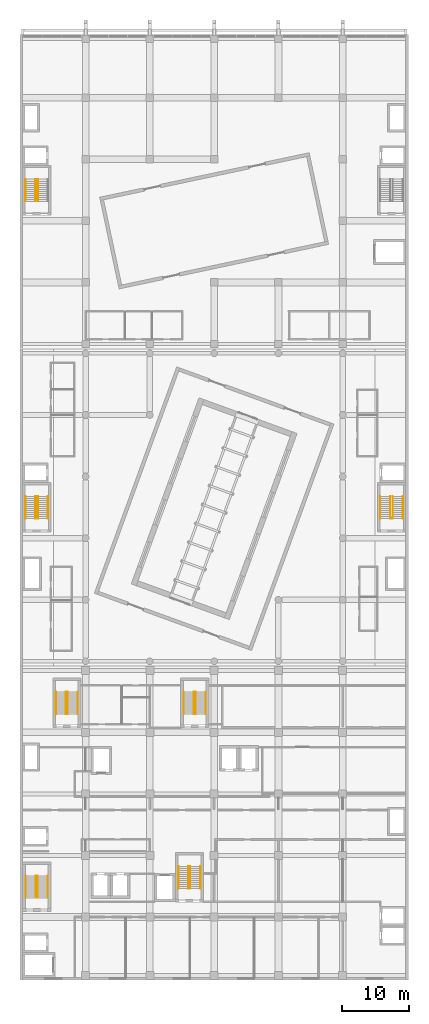
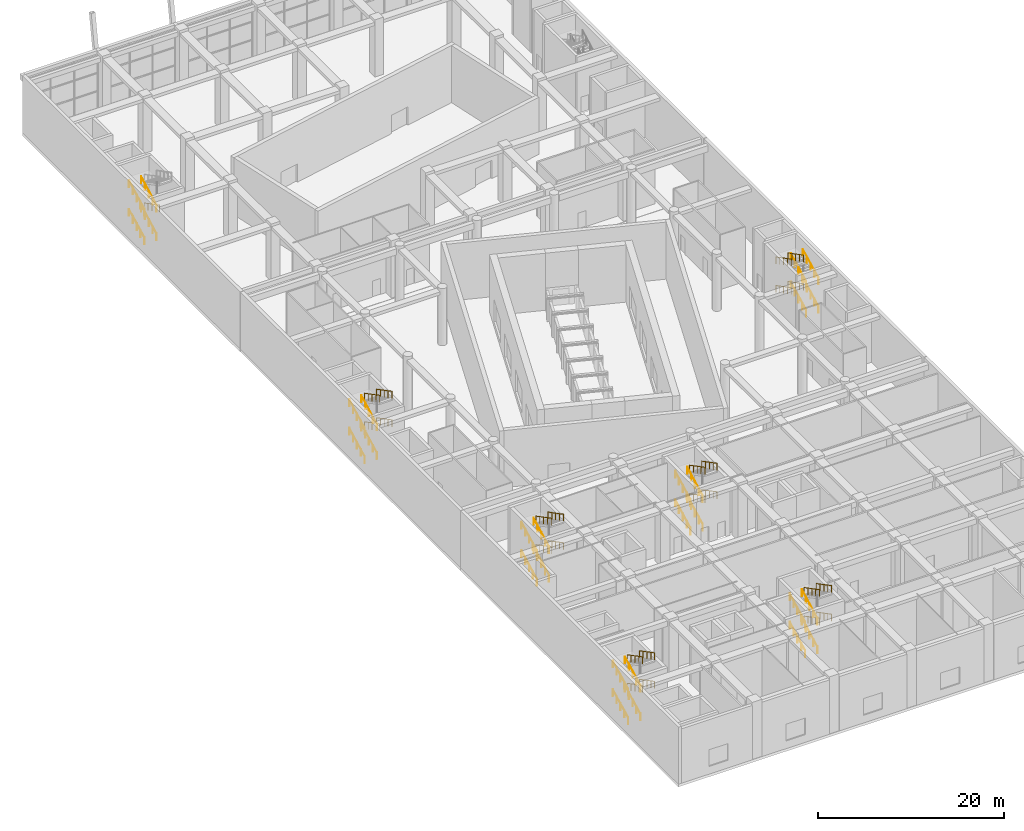
# One storey, part 22 of 36: 53 railings.
"""IFC4 building model written with IfcOpenShell, lengths in metres."""

from ifc_helpers import new_model, si_unit, direction, frame, origin, origin_2d, place, context, subcontext, project, spatial, circle, extrude, material, type_object, element, save


model = new_model("IFC4")

# Units and contexts
model_context = context("Model", 3, precision=1e-05, world=origin(), true_north=direction((0.0, 1.0)))
body_context = subcontext(model_context, "Body", "Model", "MODEL_VIEW")
ifc_project = project(units=[si_unit("LENGTHUNIT", "METRE"), si_unit("AREAUNIT", "SQUARE_METRE"), si_unit("VOLUMEUNIT", "CUBIC_METRE"), si_unit("PLANEANGLEUNIT", "RADIAN"), si_unit("MASSUNIT", "GRAM", prefix="KILO")], contexts=[model_context])

# Site, building, storey
site_placement = place(None, origin())
site = spatial("IfcSite", under=ifc_project, at=site_placement, CompositionType="ELEMENT")
building_placement = place(site_placement, origin())
building = spatial("IfcBuilding", under=site, at=building_placement, Name="Nzadi Deep Aquarium and Research Tower", CompositionType="ELEMENT")
storey_placement = place(building_placement, frame((0.0, 0.0, 14.199951171875)))
storey = spatial("IfcBuildingStorey", under=building, at=storey_placement, Name="L02", CompositionType="ELEMENT", Elevation=14.199951171875)

# Railings
ifc_material = material(Name="Stainless steel 1.4301", Category="steel")
railing_type = type_object("IfcRailingType", Name="HANDRAIL 900", PredefinedType="HANDRAIL", material=ifc_material)
for number, where, name in (
    (1, (0.659912109375, 12.070068359375, 0.15625), "HR-ST-Z1-SW-L02-F1"),
    (2, (2.1650390625, 12.070068359375, 0.15625), "HR-ST-Z1-SW-L02-F1W"),
):
    element("IfcRailing", number, at=place(storey_placement, frame(where)), inside=storey, type_object=railing_type, Name=name, PredefinedType="HANDRAIL", context=body_context, shape_type="SweptSolid", body=[
        extrude(circle(Radius=0.02392578125, at=origin_2d()), frame((0.0, 0.0, 0.8759765625), z_axis=(0.0, 0.886916884378, 0.461929042392), x_axis=(-1.0, 0.0, 0.0)), (0.0, 0.0, 1.0), 3.720703125),
        extrude(circle(Radius=0.02099609375, at=origin_2d()), origin(), (0.0, 0.0, 1.0), 0.851806640625),
        extrude(circle(Radius=0.02099609375, at=origin_2d()), frame((0.0, 0.824951171875, 0.4296875)), (0.0, 0.0, 1.0), 0.851806640625),
        extrude(circle(Radius=0.02099609375, at=origin_2d()), frame((0.0, 1.64990234375, 0.859375)), (0.0, 0.0, 1.0), 0.851806640625),
        extrude(circle(Radius=0.02099609375, at=origin_2d()), frame((0.0, 2.47509765625, 1.2890625)), (0.0, 0.0, 1.0), 0.851806640625),
        extrude(circle(Radius=0.02099609375, at=origin_2d()), frame((0.0, 3.300048828125, 1.71875)), (0.0, 0.0, 1.0), 0.851806640625),
    ])
for number, where, name in (
    (3, (3.93994140625, 15.3701171875, 2.03125), "HR-ST-Z1-SW-L02-F2"),
    (4, (2.43505859375, 15.3701171875, 2.03125), "HR-ST-Z1-SW-L02-F2W"),
):
    element("IfcRailing", number, at=place(storey_placement, frame(where)), inside=storey, type_object=railing_type, Name=name, PredefinedType="HANDRAIL", context=body_context, shape_type="SweptSolid", body=[
        extrude(circle(Radius=0.02392578125, at=origin_2d()), frame((0.0, 0.0, 0.8759765625), z_axis=(0.0, -0.886916884378, 0.461929042392), x_axis=(1.0, 0.0, 0.0)), (0.0, 0.0, 1.0), 3.720703125),
        extrude(circle(Radius=0.02099609375, at=origin_2d()), origin(), (0.0, 0.0, 1.0), 0.851806640625),
        extrude(circle(Radius=0.02099609375, at=origin_2d()), frame((0.0, -0.824951171875, 0.4296875)), (0.0, 0.0, 1.0), 0.851806640625),
        extrude(circle(Radius=0.02099609375, at=origin_2d()), frame((0.0, -1.64990234375, 0.859375)), (0.0, 0.0, 1.0), 0.851806640625),
        extrude(circle(Radius=0.02099609375, at=origin_2d()), frame((0.0, -2.47509765625, 1.2890625)), (0.0, 0.0, 1.0), 0.851806640625),
        extrude(circle(Radius=0.02099609375, at=origin_2d()), frame((0.0, -3.300048828125, 1.71875)), (0.0, 0.0, 1.0), 0.851806640625),
    ])
for number, where, name in (
    (5, (0.659912109375, 12.070068359375, 3.90625), "HR-ST-Z1-SW-L02-F3"),
    (6, (2.1650390625, 12.070068359375, 3.90625), "HR-ST-Z1-SW-L02-F3W"),
):
    element("IfcRailing", number, at=place(storey_placement, frame(where)), inside=storey, type_object=railing_type, Name=name, PredefinedType="HANDRAIL", context=body_context, shape_type="SweptSolid", body=[
        extrude(circle(Radius=0.02392578125, at=origin_2d()), frame((0.0, 0.0, 0.8759765625), z_axis=(0.0, 0.886916884378, 0.461929042392), x_axis=(-1.0, 0.0, 0.0)), (0.0, 0.0, 1.0), 3.720703125),
        extrude(circle(Radius=0.02099609375, at=origin_2d()), origin(), (0.0, 0.0, 1.0), 0.851806640625),
        extrude(circle(Radius=0.02099609375, at=origin_2d()), frame((0.0, 0.824951171875, 0.4296875)), (0.0, 0.0, 1.0), 0.851806640625),
        extrude(circle(Radius=0.02099609375, at=origin_2d()), frame((0.0, 1.64990234375, 0.859375)), (0.0, 0.0, 1.0), 0.851806640625),
        extrude(circle(Radius=0.02099609375, at=origin_2d()), frame((0.0, 2.47509765625, 1.2890625)), (0.0, 0.0, 1.0), 0.851806640625),
        extrude(circle(Radius=0.02099609375, at=origin_2d()), frame((0.0, 3.300048828125, 1.71875)), (0.0, 0.0, 1.0), 0.851806640625),
    ])
for number, where, name in (
    (7, (3.93994140625, 15.3701171875, 5.78125), "HR-ST-Z1-SW-L02-F4"),
    (8, (2.43505859375, 15.3701171875, 5.78125), "HR-ST-Z1-SW-L02-F4W"),
):
    element("IfcRailing", number, at=place(storey_placement, frame(where)), inside=storey, type_object=railing_type, Name=name, PredefinedType="HANDRAIL", context=body_context, shape_type="SweptSolid", body=[
        extrude(circle(Radius=0.02392578125, at=origin_2d()), frame((0.0, 0.0, 0.8759765625), z_axis=(0.0, -0.886916884378, 0.461929042392), x_axis=(1.0, 0.0, 0.0)), (0.0, 0.0, 1.0), 3.720703125),
        extrude(circle(Radius=0.02099609375, at=origin_2d()), origin(), (0.0, 0.0, 1.0), 0.851806640625),
        extrude(circle(Radius=0.02099609375, at=origin_2d()), frame((0.0, -0.824951171875, 0.4296875)), (0.0, 0.0, 1.0), 0.851806640625),
        extrude(circle(Radius=0.02099609375, at=origin_2d()), frame((0.0, -1.64990234375, 0.859375)), (0.0, 0.0, 1.0), 0.851806640625),
        extrude(circle(Radius=0.02099609375, at=origin_2d()), frame((0.0, -2.47509765625, 1.2890625)), (0.0, 0.0, 1.0), 0.851806640625),
        extrude(circle(Radius=0.02099609375, at=origin_2d()), frame((0.0, -3.300048828125, 1.71875)), (0.0, 0.0, 1.0), 0.851806640625),
    ])
for number, where, name in (
    (9, (23.4599609375, 13.469970703125, 0.15625), "HR-ST-Z1-SE-L02-F1"),
    (10, (24.965087890625, 13.469970703125, 0.15625), "HR-ST-Z1-SE-L02-F1W"),
):
    element("IfcRailing", number, at=place(storey_placement, frame(where)), inside=storey, type_object=railing_type, Name=name, PredefinedType="HANDRAIL", context=body_context, shape_type="SweptSolid", body=[
        extrude(circle(Radius=0.02392578125, at=origin_2d()), frame((0.0, 0.0, 0.8759765625), z_axis=(0.0, 0.886916884378, 0.461929042392), x_axis=(-1.0, 0.0, 0.0)), (0.0, 0.0, 1.0), 3.720703125),
        extrude(circle(Radius=0.02099609375, at=origin_2d()), origin(), (0.0, 0.0, 1.0), 0.851806640625),
        extrude(circle(Radius=0.02099609375, at=origin_2d()), frame((0.0, 0.824951171875, 0.4296875)), (0.0, 0.0, 1.0), 0.851806640625),
        extrude(circle(Radius=0.02099609375, at=origin_2d()), frame((0.0, 1.64990234375, 0.859375)), (0.0, 0.0, 1.0), 0.851806640625),
        extrude(circle(Radius=0.02099609375, at=origin_2d()), frame((0.0, 2.47509765625, 1.2890625)), (0.0, 0.0, 1.0), 0.851806640625),
        extrude(circle(Radius=0.02099609375, at=origin_2d()), frame((0.0, 3.300048828125, 1.71875)), (0.0, 0.0, 1.0), 0.851806640625),
    ])
for number, where, name in (
    (11, (26.739990234375, 16.77001953125, 2.03125), "HR-ST-Z1-SE-L02-F2"),
    (12, (25.235107421875, 16.77001953125, 2.03125), "HR-ST-Z1-SE-L02-F2W"),
):
    element("IfcRailing", number, at=place(storey_placement, frame(where)), inside=storey, type_object=railing_type, Name=name, PredefinedType="HANDRAIL", context=body_context, shape_type="SweptSolid", body=[
        extrude(circle(Radius=0.02392578125, at=origin_2d()), frame((0.0, 0.0, 0.8759765625), z_axis=(0.0, -0.886916884378, 0.461929042392), x_axis=(1.0, 0.0, 0.0)), (0.0, 0.0, 1.0), 3.720703125),
        extrude(circle(Radius=0.02099609375, at=origin_2d()), origin(), (0.0, 0.0, 1.0), 0.851806640625),
        extrude(circle(Radius=0.02099609375, at=origin_2d()), frame((0.0, -0.824951171875, 0.4296875)), (0.0, 0.0, 1.0), 0.851806640625),
        extrude(circle(Radius=0.02099609375, at=origin_2d()), frame((0.0, -1.64990234375, 0.859375)), (0.0, 0.0, 1.0), 0.851806640625),
        extrude(circle(Radius=0.02099609375, at=origin_2d()), frame((0.0, -2.47509765625, 1.2890625)), (0.0, 0.0, 1.0), 0.851806640625),
        extrude(circle(Radius=0.02099609375, at=origin_2d()), frame((0.0, -3.300048828125, 1.71875)), (0.0, 0.0, 1.0), 0.851806640625),
    ])
for number, where, name in (
    (13, (23.4599609375, 13.469970703125, 3.90625), "HR-ST-Z1-SE-L02-F3"),
    (14, (24.965087890625, 13.469970703125, 3.90625), "HR-ST-Z1-SE-L02-F3W"),
):
    element("IfcRailing", number, at=place(storey_placement, frame(where)), inside=storey, type_object=railing_type, Name=name, PredefinedType="HANDRAIL", context=body_context, shape_type="SweptSolid", body=[
        extrude(circle(Radius=0.02392578125, at=origin_2d()), frame((0.0, 0.0, 0.8759765625), z_axis=(0.0, 0.886916884378, 0.461929042392), x_axis=(-1.0, 0.0, 0.0)), (0.0, 0.0, 1.0), 3.720703125),
        extrude(circle(Radius=0.02099609375, at=origin_2d()), origin(), (0.0, 0.0, 1.0), 0.851806640625),
        extrude(circle(Radius=0.02099609375, at=origin_2d()), frame((0.0, 0.824951171875, 0.4296875)), (0.0, 0.0, 1.0), 0.851806640625),
        extrude(circle(Radius=0.02099609375, at=origin_2d()), frame((0.0, 1.64990234375, 0.859375)), (0.0, 0.0, 1.0), 0.851806640625),
        extrude(circle(Radius=0.02099609375, at=origin_2d()), frame((0.0, 2.47509765625, 1.2890625)), (0.0, 0.0, 1.0), 0.851806640625),
        extrude(circle(Radius=0.02099609375, at=origin_2d()), frame((0.0, 3.300048828125, 1.71875)), (0.0, 0.0, 1.0), 0.851806640625),
    ])
for number, where, name in (
    (15, (26.739990234375, 16.77001953125, 5.78125), "HR-ST-Z1-SE-L02-F4"),
    (16, (25.235107421875, 16.77001953125, 5.78125), "HR-ST-Z1-SE-L02-F4W"),
):
    element("IfcRailing", number, at=place(storey_placement, frame(where)), inside=storey, type_object=railing_type, Name=name, PredefinedType="HANDRAIL", context=body_context, shape_type="SweptSolid", body=[
        extrude(circle(Radius=0.02392578125, at=origin_2d()), frame((0.0, 0.0, 0.8759765625), z_axis=(0.0, -0.886916884378, 0.461929042392), x_axis=(1.0, 0.0, 0.0)), (0.0, 0.0, 1.0), 3.720703125),
        extrude(circle(Radius=0.02099609375, at=origin_2d()), origin(), (0.0, 0.0, 1.0), 0.851806640625),
        extrude(circle(Radius=0.02099609375, at=origin_2d()), frame((0.0, -0.824951171875, 0.4296875)), (0.0, 0.0, 1.0), 0.851806640625),
        extrude(circle(Radius=0.02099609375, at=origin_2d()), frame((0.0, -1.64990234375, 0.859375)), (0.0, 0.0, 1.0), 0.851806640625),
        extrude(circle(Radius=0.02099609375, at=origin_2d()), frame((0.0, -2.47509765625, 1.2890625)), (0.0, 0.0, 1.0), 0.851806640625),
        extrude(circle(Radius=0.02099609375, at=origin_2d()), frame((0.0, -3.300048828125, 1.71875)), (0.0, 0.0, 1.0), 0.851806640625),
    ])
for number, where, name in (
    (17, (5.159912109375, 39.52001953125, 0.15625), "HR-ST-Z1-NW-L02-F1"),
    (18, (6.6650390625, 39.52001953125, 0.15625), "HR-ST-Z1-NW-L02-F1W"),
):
    element("IfcRailing", number, at=place(storey_placement, frame(where)), inside=storey, type_object=railing_type, Name=name, PredefinedType="HANDRAIL", context=body_context, shape_type="SweptSolid", body=[
        extrude(circle(Radius=0.02392578125, at=origin_2d()), frame((0.0, 0.0, 0.8759765625), z_axis=(0.0, 0.886916884378, 0.461929042392), x_axis=(-1.0, 0.0, 0.0)), (0.0, 0.0, 1.0), 3.720703125),
        extrude(circle(Radius=0.02099609375, at=origin_2d()), origin(), (0.0, 0.0, 1.0), 0.851806640625),
        extrude(circle(Radius=0.02099609375, at=origin_2d()), frame((0.0, 0.824951171875, 0.4296875)), (0.0, 0.0, 1.0), 0.851806640625),
        extrude(circle(Radius=0.02099609375, at=origin_2d()), frame((0.0, 1.64990234375, 0.859375)), (0.0, 0.0, 1.0), 0.851806640625),
        extrude(circle(Radius=0.02099609375, at=origin_2d()), frame((0.0, 2.47509765625, 1.2890625)), (0.0, 0.0, 1.0), 0.851806640625),
        extrude(circle(Radius=0.02099609375, at=origin_2d()), frame((0.0, 3.300048828125, 1.71875)), (0.0, 0.0, 1.0), 0.851806640625),
    ])
for number, where, name in (
    (19, (8.43994140625, 42.820068359375, 2.03125), "HR-ST-Z1-NW-L02-F2"),
    (20, (6.93505859375, 42.820068359375, 2.03125), "HR-ST-Z1-NW-L02-F2W"),
):
    element("IfcRailing", number, at=place(storey_placement, frame(where)), inside=storey, type_object=railing_type, Name=name, PredefinedType="HANDRAIL", context=body_context, shape_type="SweptSolid", body=[
        extrude(circle(Radius=0.02392578125, at=origin_2d()), frame((0.0, 0.0, 0.8759765625), z_axis=(0.0, -0.886916884378, 0.461929042392), x_axis=(1.0, 0.0, 0.0)), (0.0, 0.0, 1.0), 3.720703125),
        extrude(circle(Radius=0.02099609375, at=origin_2d()), origin(), (0.0, 0.0, 1.0), 0.851806640625),
        extrude(circle(Radius=0.02099609375, at=origin_2d()), frame((0.0, -0.824951171875, 0.4296875)), (0.0, 0.0, 1.0), 0.851806640625),
        extrude(circle(Radius=0.02099609375, at=origin_2d()), frame((0.0, -1.64990234375, 0.859375)), (0.0, 0.0, 1.0), 0.851806640625),
        extrude(circle(Radius=0.02099609375, at=origin_2d()), frame((0.0, -2.47509765625, 1.2890625)), (0.0, 0.0, 1.0), 0.851806640625),
        extrude(circle(Radius=0.02099609375, at=origin_2d()), frame((0.0, -3.300048828125, 1.71875)), (0.0, 0.0, 1.0), 0.851806640625),
    ])
for number, where, name in (
    (21, (5.159912109375, 39.52001953125, 3.90625), "HR-ST-Z1-NW-L02-F3"),
    (22, (6.6650390625, 39.52001953125, 3.90625), "HR-ST-Z1-NW-L02-F3W"),
):
    element("IfcRailing", number, at=place(storey_placement, frame(where)), inside=storey, type_object=railing_type, Name=name, PredefinedType="HANDRAIL", context=body_context, shape_type="SweptSolid", body=[
        extrude(circle(Radius=0.02392578125, at=origin_2d()), frame((0.0, 0.0, 0.8759765625), z_axis=(0.0, 0.886916884378, 0.461929042392), x_axis=(-1.0, 0.0, 0.0)), (0.0, 0.0, 1.0), 3.720703125),
        extrude(circle(Radius=0.02099609375, at=origin_2d()), origin(), (0.0, 0.0, 1.0), 0.851806640625),
        extrude(circle(Radius=0.02099609375, at=origin_2d()), frame((0.0, 0.824951171875, 0.4296875)), (0.0, 0.0, 1.0), 0.851806640625),
        extrude(circle(Radius=0.02099609375, at=origin_2d()), frame((0.0, 1.64990234375, 0.859375)), (0.0, 0.0, 1.0), 0.851806640625),
        extrude(circle(Radius=0.02099609375, at=origin_2d()), frame((0.0, 2.47509765625, 1.2890625)), (0.0, 0.0, 1.0), 0.851806640625),
        extrude(circle(Radius=0.02099609375, at=origin_2d()), frame((0.0, 3.300048828125, 1.71875)), (0.0, 0.0, 1.0), 0.851806640625),
    ])
for number, where, name in (
    (23, (8.43994140625, 42.820068359375, 5.78125), "HR-ST-Z1-NW-L02-F4"),
    (24, (6.93505859375, 42.820068359375, 5.78125), "HR-ST-Z1-NW-L02-F4W"),
):
    element("IfcRailing", number, at=place(storey_placement, frame(where)), inside=storey, type_object=railing_type, Name=name, PredefinedType="HANDRAIL", context=body_context, shape_type="SweptSolid", body=[
        extrude(circle(Radius=0.02392578125, at=origin_2d()), frame((0.0, 0.0, 0.8759765625), z_axis=(0.0, -0.886916884378, 0.461929042392), x_axis=(1.0, 0.0, 0.0)), (0.0, 0.0, 1.0), 3.720703125),
        extrude(circle(Radius=0.02099609375, at=origin_2d()), origin(), (0.0, 0.0, 1.0), 0.851806640625),
        extrude(circle(Radius=0.02099609375, at=origin_2d()), frame((0.0, -0.824951171875, 0.4296875)), (0.0, 0.0, 1.0), 0.851806640625),
        extrude(circle(Radius=0.02099609375, at=origin_2d()), frame((0.0, -1.64990234375, 0.859375)), (0.0, 0.0, 1.0), 0.851806640625),
        extrude(circle(Radius=0.02099609375, at=origin_2d()), frame((0.0, -2.47509765625, 1.2890625)), (0.0, 0.0, 1.0), 0.851806640625),
        extrude(circle(Radius=0.02099609375, at=origin_2d()), frame((0.0, -3.300048828125, 1.71875)), (0.0, 0.0, 1.0), 0.851806640625),
    ])
for number, where, name in (
    (25, (24.260009765625, 39.52001953125, 0.15625), "HR-ST-Z1-NE-L02-F1"),
    (26, (25.764892578125, 39.52001953125, 0.15625), "HR-ST-Z1-NE-L02-F1W"),
):
    element("IfcRailing", number, at=place(storey_placement, frame(where)), inside=storey, type_object=railing_type, Name=name, PredefinedType="HANDRAIL", context=body_context, shape_type="SweptSolid", body=[
        extrude(circle(Radius=0.02392578125, at=origin_2d()), frame((0.0, 0.0, 0.8759765625), z_axis=(0.0, 0.886916884378, 0.461929042392), x_axis=(-1.0, 0.0, 0.0)), (0.0, 0.0, 1.0), 3.720703125),
        extrude(circle(Radius=0.02099609375, at=origin_2d()), origin(), (0.0, 0.0, 1.0), 0.851806640625),
        extrude(circle(Radius=0.02099609375, at=origin_2d()), frame((0.0, 0.824951171875, 0.4296875)), (0.0, 0.0, 1.0), 0.851806640625),
        extrude(circle(Radius=0.02099609375, at=origin_2d()), frame((0.0, 1.64990234375, 0.859375)), (0.0, 0.0, 1.0), 0.851806640625),
        extrude(circle(Radius=0.02099609375, at=origin_2d()), frame((0.0, 2.47509765625, 1.2890625)), (0.0, 0.0, 1.0), 0.851806640625),
        extrude(circle(Radius=0.02099609375, at=origin_2d()), frame((0.0, 3.300048828125, 1.71875)), (0.0, 0.0, 1.0), 0.851806640625),
    ])
for number, where, name in (
    (27, (27.5400390625, 42.820068359375, 2.03125), "HR-ST-Z1-NE-L02-F2"),
    (28, (26.034912109375, 42.820068359375, 2.03125), "HR-ST-Z1-NE-L02-F2W"),
):
    element("IfcRailing", number, at=place(storey_placement, frame(where)), inside=storey, type_object=railing_type, Name=name, PredefinedType="HANDRAIL", context=body_context, shape_type="SweptSolid", body=[
        extrude(circle(Radius=0.02392578125, at=origin_2d()), frame((0.0, 0.0, 0.8759765625), z_axis=(0.0, -0.886916884378, 0.461929042392), x_axis=(1.0, 0.0, 0.0)), (0.0, 0.0, 1.0), 3.720703125),
        extrude(circle(Radius=0.02099609375, at=origin_2d()), origin(), (0.0, 0.0, 1.0), 0.851806640625),
        extrude(circle(Radius=0.02099609375, at=origin_2d()), frame((0.0, -0.824951171875, 0.4296875)), (0.0, 0.0, 1.0), 0.851806640625),
        extrude(circle(Radius=0.02099609375, at=origin_2d()), frame((0.0, -1.64990234375, 0.859375)), (0.0, 0.0, 1.0), 0.851806640625),
        extrude(circle(Radius=0.02099609375, at=origin_2d()), frame((0.0, -2.47509765625, 1.2890625)), (0.0, 0.0, 1.0), 0.851806640625),
        extrude(circle(Radius=0.02099609375, at=origin_2d()), frame((0.0, -3.300048828125, 1.71875)), (0.0, 0.0, 1.0), 0.851806640625),
    ])
for number, where, name in (
    (29, (24.260009765625, 39.52001953125, 3.90625), "HR-ST-Z1-NE-L02-F3"),
    (30, (25.764892578125, 39.52001953125, 3.90625), "HR-ST-Z1-NE-L02-F3W"),
):
    element("IfcRailing", number, at=place(storey_placement, frame(where)), inside=storey, type_object=railing_type, Name=name, PredefinedType="HANDRAIL", context=body_context, shape_type="SweptSolid", body=[
        extrude(circle(Radius=0.02392578125, at=origin_2d()), frame((0.0, 0.0, 0.8759765625), z_axis=(0.0, 0.886916884378, 0.461929042392), x_axis=(-1.0, 0.0, 0.0)), (0.0, 0.0, 1.0), 3.720703125),
        extrude(circle(Radius=0.02099609375, at=origin_2d()), origin(), (0.0, 0.0, 1.0), 0.851806640625),
        extrude(circle(Radius=0.02099609375, at=origin_2d()), frame((0.0, 0.824951171875, 0.4296875)), (0.0, 0.0, 1.0), 0.851806640625),
        extrude(circle(Radius=0.02099609375, at=origin_2d()), frame((0.0, 1.64990234375, 0.859375)), (0.0, 0.0, 1.0), 0.851806640625),
        extrude(circle(Radius=0.02099609375, at=origin_2d()), frame((0.0, 2.47509765625, 1.2890625)), (0.0, 0.0, 1.0), 0.851806640625),
        extrude(circle(Radius=0.02099609375, at=origin_2d()), frame((0.0, 3.300048828125, 1.71875)), (0.0, 0.0, 1.0), 0.851806640625),
    ])
for number, where, name in (
    (31, (27.5400390625, 42.820068359375, 5.78125), "HR-ST-Z1-NE-L02-F4"),
    (32, (26.034912109375, 42.820068359375, 5.78125), "HR-ST-Z1-NE-L02-F4W"),
):
    element("IfcRailing", number, at=place(storey_placement, frame(where)), inside=storey, type_object=railing_type, Name=name, PredefinedType="HANDRAIL", context=body_context, shape_type="SweptSolid", body=[
        extrude(circle(Radius=0.02392578125, at=origin_2d()), frame((0.0, 0.0, 0.8759765625), z_axis=(0.0, -0.886916884378, 0.461929042392), x_axis=(1.0, 0.0, 0.0)), (0.0, 0.0, 1.0), 3.720703125),
        extrude(circle(Radius=0.02099609375, at=origin_2d()), origin(), (0.0, 0.0, 1.0), 0.851806640625),
        extrude(circle(Radius=0.02099609375, at=origin_2d()), frame((0.0, -0.824951171875, 0.4296875)), (0.0, 0.0, 1.0), 0.851806640625),
        extrude(circle(Radius=0.02099609375, at=origin_2d()), frame((0.0, -1.64990234375, 0.859375)), (0.0, 0.0, 1.0), 0.851806640625),
        extrude(circle(Radius=0.02099609375, at=origin_2d()), frame((0.0, -2.47509765625, 1.2890625)), (0.0, 0.0, 1.0), 0.851806640625),
        extrude(circle(Radius=0.02099609375, at=origin_2d()), frame((0.0, -3.300048828125, 1.71875)), (0.0, 0.0, 1.0), 0.851806640625),
    ])
for number, where, name in (
    (33, (0.610107421875, 68.7099609375, 0.15625), "HR-ST-Z2-W-L02-F1"),
    (34, (2.114990234375, 68.7099609375, 0.15625), "HR-ST-Z2-W-L02-F1W"),
):
    element("IfcRailing", number, at=place(storey_placement, frame(where)), inside=storey, type_object=railing_type, Name=name, PredefinedType="HANDRAIL", context=body_context, shape_type="SweptSolid", body=[
        extrude(circle(Radius=0.02392578125, at=origin_2d()), frame((0.0, 0.0, 0.8759765625), z_axis=(0.0, 0.886916884378, 0.461929042392), x_axis=(-1.0, 0.0, 0.0)), (0.0, 0.0, 1.0), 3.720703125),
        extrude(circle(Radius=0.02099609375, at=origin_2d()), origin(), (0.0, 0.0, 1.0), 0.851806640625),
        extrude(circle(Radius=0.02099609375, at=origin_2d()), frame((0.0, 0.824951171875, 0.4296875)), (0.0, 0.0, 1.0), 0.851806640625),
        extrude(circle(Radius=0.02099609375, at=origin_2d()), frame((0.0, 1.64990234375, 0.859375)), (0.0, 0.0, 1.0), 0.851806640625),
        extrude(circle(Radius=0.02099609375, at=origin_2d()), frame((0.0, 2.47509765625, 1.2890625)), (0.0, 0.0, 1.0), 0.851806640625),
        extrude(circle(Radius=0.02099609375, at=origin_2d()), frame((0.0, 3.300048828125, 1.71875)), (0.0, 0.0, 1.0), 0.851806640625),
    ])
for number, where, name in (
    (35, (3.989990234375, 72.010009765625, 2.03125), "HR-ST-Z2-W-L02-F2"),
    (36, (2.485107421875, 72.010009765625, 2.03125), "HR-ST-Z2-W-L02-F2W"),
):
    element("IfcRailing", number, at=place(storey_placement, frame(where)), inside=storey, type_object=railing_type, Name=name, PredefinedType="HANDRAIL", context=body_context, shape_type="SweptSolid", body=[
        extrude(circle(Radius=0.02392578125, at=origin_2d()), frame((0.0, 0.0, 0.8759765625), z_axis=(0.0, -0.886916884378, 0.461929042392), x_axis=(1.0, 0.0, 0.0)), (0.0, 0.0, 1.0), 3.720703125),
        extrude(circle(Radius=0.02099609375, at=origin_2d()), origin(), (0.0, 0.0, 1.0), 0.851806640625),
        extrude(circle(Radius=0.02099609375, at=origin_2d()), frame((0.0, -0.824951171875, 0.4296875)), (0.0, 0.0, 1.0), 0.851806640625),
        extrude(circle(Radius=0.02099609375, at=origin_2d()), frame((0.0, -1.64990234375, 0.859375)), (0.0, 0.0, 1.0), 0.851806640625),
        extrude(circle(Radius=0.02099609375, at=origin_2d()), frame((0.0, -2.47509765625, 1.2890625)), (0.0, 0.0, 1.0), 0.851806640625),
        extrude(circle(Radius=0.02099609375, at=origin_2d()), frame((0.0, -3.300048828125, 1.71875)), (0.0, 0.0, 1.0), 0.851806640625),
    ])
for number, where, name in (
    (37, (0.610107421875, 68.7099609375, 3.90625), "HR-ST-Z2-W-L02-F3"),
    (38, (2.114990234375, 68.7099609375, 3.90625), "HR-ST-Z2-W-L02-F3W"),
):
    element("IfcRailing", number, at=place(storey_placement, frame(where)), inside=storey, type_object=railing_type, Name=name, PredefinedType="HANDRAIL", context=body_context, shape_type="SweptSolid", body=[
        extrude(circle(Radius=0.02392578125, at=origin_2d()), frame((0.0, 0.0, 0.8759765625), z_axis=(0.0, 0.886916884378, 0.461929042392), x_axis=(-1.0, 0.0, 0.0)), (0.0, 0.0, 1.0), 3.720703125),
        extrude(circle(Radius=0.02099609375, at=origin_2d()), origin(), (0.0, 0.0, 1.0), 0.851806640625),
        extrude(circle(Radius=0.02099609375, at=origin_2d()), frame((0.0, 0.824951171875, 0.4296875)), (0.0, 0.0, 1.0), 0.851806640625),
        extrude(circle(Radius=0.02099609375, at=origin_2d()), frame((0.0, 1.64990234375, 0.859375)), (0.0, 0.0, 1.0), 0.851806640625),
        extrude(circle(Radius=0.02099609375, at=origin_2d()), frame((0.0, 2.47509765625, 1.2890625)), (0.0, 0.0, 1.0), 0.851806640625),
        extrude(circle(Radius=0.02099609375, at=origin_2d()), frame((0.0, 3.300048828125, 1.71875)), (0.0, 0.0, 1.0), 0.851806640625),
    ])
for number, where, name in (
    (39, (3.989990234375, 72.010009765625, 5.78125), "HR-ST-Z2-W-L02-F4"),
    (40, (2.485107421875, 72.010009765625, 5.78125), "HR-ST-Z2-W-L02-F4W"),
):
    element("IfcRailing", number, at=place(storey_placement, frame(where)), inside=storey, type_object=railing_type, Name=name, PredefinedType="HANDRAIL", context=body_context, shape_type="SweptSolid", body=[
        extrude(circle(Radius=0.02392578125, at=origin_2d()), frame((0.0, 0.0, 0.8759765625), z_axis=(0.0, -0.886916884378, 0.461929042392), x_axis=(1.0, 0.0, 0.0)), (0.0, 0.0, 1.0), 3.720703125),
        extrude(circle(Radius=0.02099609375, at=origin_2d()), origin(), (0.0, 0.0, 1.0), 0.851806640625),
        extrude(circle(Radius=0.02099609375, at=origin_2d()), frame((0.0, -0.824951171875, 0.4296875)), (0.0, 0.0, 1.0), 0.851806640625),
        extrude(circle(Radius=0.02099609375, at=origin_2d()), frame((0.0, -1.64990234375, 0.859375)), (0.0, 0.0, 1.0), 0.851806640625),
        extrude(circle(Radius=0.02099609375, at=origin_2d()), frame((0.0, -2.47509765625, 1.2890625)), (0.0, 0.0, 1.0), 0.851806640625),
        extrude(circle(Radius=0.02099609375, at=origin_2d()), frame((0.0, -3.300048828125, 1.71875)), (0.0, 0.0, 1.0), 0.851806640625),
    ])
for number, where, name in (
    (41, (56.989990234375, 68.7099609375, 0.15625), "HR-ST-Z2-E-L02-F1"),
    (42, (55.485107421875, 68.7099609375, 0.15625), "HR-ST-Z2-E-L02-F1W"),
):
    element("IfcRailing", number, at=place(storey_placement, frame(where)), inside=storey, type_object=railing_type, Name=name, PredefinedType="HANDRAIL", context=body_context, shape_type="SweptSolid", body=[
        extrude(circle(Radius=0.02392578125, at=origin_2d()), frame((0.0, 0.0, 0.8759765625), z_axis=(0.0, 0.886916884378, 0.461929042392), x_axis=(-1.0, 0.0, 0.0)), (0.0, 0.0, 1.0), 3.720703125),
        extrude(circle(Radius=0.02099609375, at=origin_2d()), origin(), (0.0, 0.0, 1.0), 0.851806640625),
        extrude(circle(Radius=0.02099609375, at=origin_2d()), frame((0.0, 0.824951171875, 0.4296875)), (0.0, 0.0, 1.0), 0.851806640625),
        extrude(circle(Radius=0.02099609375, at=origin_2d()), frame((0.0, 1.64990234375, 0.859375)), (0.0, 0.0, 1.0), 0.851806640625),
        extrude(circle(Radius=0.02099609375, at=origin_2d()), frame((0.0, 2.47509765625, 1.2890625)), (0.0, 0.0, 1.0), 0.851806640625),
        extrude(circle(Radius=0.02099609375, at=origin_2d()), frame((0.0, 3.300048828125, 1.71875)), (0.0, 0.0, 1.0), 0.851806640625),
    ])
for number, where, name in (
    (43, (53.610107421875, 72.010009765625, 2.03125), "HR-ST-Z2-E-L02-F2"),
    (44, (55.114990234375, 72.010009765625, 2.03125), "HR-ST-Z2-E-L02-F2W"),
):
    element("IfcRailing", number, at=place(storey_placement, frame(where)), inside=storey, type_object=railing_type, Name=name, PredefinedType="HANDRAIL", context=body_context, shape_type="SweptSolid", body=[
        extrude(circle(Radius=0.02392578125, at=origin_2d()), frame((0.0, 0.0, 0.8759765625), z_axis=(0.0, -0.886916884378, 0.461929042392), x_axis=(1.0, 0.0, 0.0)), (0.0, 0.0, 1.0), 3.720703125),
        extrude(circle(Radius=0.02099609375, at=origin_2d()), origin(), (0.0, 0.0, 1.0), 0.851806640625),
        extrude(circle(Radius=0.02099609375, at=origin_2d()), frame((0.0, -0.824951171875, 0.4296875)), (0.0, 0.0, 1.0), 0.851806640625),
        extrude(circle(Radius=0.02099609375, at=origin_2d()), frame((0.0, -1.64990234375, 0.859375)), (0.0, 0.0, 1.0), 0.851806640625),
        extrude(circle(Radius=0.02099609375, at=origin_2d()), frame((0.0, -2.47509765625, 1.2890625)), (0.0, 0.0, 1.0), 0.851806640625),
        extrude(circle(Radius=0.02099609375, at=origin_2d()), frame((0.0, -3.300048828125, 1.71875)), (0.0, 0.0, 1.0), 0.851806640625),
    ])
for number, where, name in (
    (45, (56.989990234375, 68.7099609375, 3.90625), "HR-ST-Z2-E-L02-F3"),
    (46, (55.485107421875, 68.7099609375, 3.90625), "HR-ST-Z2-E-L02-F3W"),
):
    element("IfcRailing", number, at=place(storey_placement, frame(where)), inside=storey, type_object=railing_type, Name=name, PredefinedType="HANDRAIL", context=body_context, shape_type="SweptSolid", body=[
        extrude(circle(Radius=0.02392578125, at=origin_2d()), frame((0.0, 0.0, 0.8759765625), z_axis=(0.0, 0.886916884378, 0.461929042392), x_axis=(-1.0, 0.0, 0.0)), (0.0, 0.0, 1.0), 3.720703125),
        extrude(circle(Radius=0.02099609375, at=origin_2d()), origin(), (0.0, 0.0, 1.0), 0.851806640625),
        extrude(circle(Radius=0.02099609375, at=origin_2d()), frame((0.0, 0.824951171875, 0.4296875)), (0.0, 0.0, 1.0), 0.851806640625),
        extrude(circle(Radius=0.02099609375, at=origin_2d()), frame((0.0, 1.64990234375, 0.859375)), (0.0, 0.0, 1.0), 0.851806640625),
        extrude(circle(Radius=0.02099609375, at=origin_2d()), frame((0.0, 2.47509765625, 1.2890625)), (0.0, 0.0, 1.0), 0.851806640625),
        extrude(circle(Radius=0.02099609375, at=origin_2d()), frame((0.0, 3.300048828125, 1.71875)), (0.0, 0.0, 1.0), 0.851806640625),
    ])
for number, where, name in (
    (47, (53.610107421875, 72.010009765625, 5.78125), "HR-ST-Z2-E-L02-F4"),
    (48, (55.114990234375, 72.010009765625, 5.78125), "HR-ST-Z2-E-L02-F4W"),
):
    element("IfcRailing", number, at=place(storey_placement, frame(where)), inside=storey, type_object=railing_type, Name=name, PredefinedType="HANDRAIL", context=body_context, shape_type="SweptSolid", body=[
        extrude(circle(Radius=0.02392578125, at=origin_2d()), frame((0.0, 0.0, 0.8759765625), z_axis=(0.0, -0.886916884378, 0.461929042392), x_axis=(1.0, 0.0, 0.0)), (0.0, 0.0, 1.0), 3.720703125),
        extrude(circle(Radius=0.02099609375, at=origin_2d()), origin(), (0.0, 0.0, 1.0), 0.851806640625),
        extrude(circle(Radius=0.02099609375, at=origin_2d()), frame((0.0, -0.824951171875, 0.4296875)), (0.0, 0.0, 1.0), 0.851806640625),
        extrude(circle(Radius=0.02099609375, at=origin_2d()), frame((0.0, -1.64990234375, 0.859375)), (0.0, 0.0, 1.0), 0.851806640625),
        extrude(circle(Radius=0.02099609375, at=origin_2d()), frame((0.0, -2.47509765625, 1.2890625)), (0.0, 0.0, 1.0), 0.851806640625),
        extrude(circle(Radius=0.02099609375, at=origin_2d()), frame((0.0, -3.300048828125, 1.71875)), (0.0, 0.0, 1.0), 0.851806640625),
    ])
for number, where, name in (
    (49, (0.610107421875, 116.110107421875, 0.15625), "HR-ST-Z3-W-L02-F1"),
    (50, (2.114990234375, 116.110107421875, 0.15625), "HR-ST-Z3-W-L02-F1W"),
):
    element("IfcRailing", number, at=place(storey_placement, frame(where)), inside=storey, type_object=railing_type, Name=name, PredefinedType="HANDRAIL", context=body_context, shape_type="SweptSolid", body=[
        extrude(circle(Radius=0.02392578125, at=origin_2d()), frame((0.0, 0.0, 0.8759765625), z_axis=(0.0, 0.886902882346, 0.461955925697), x_axis=(-1.0, 0.0, 0.0)), (0.0, 0.0, 1.0), 3.720703125),
        extrude(circle(Radius=0.02099609375, at=origin_2d()), origin(), (0.0, 0.0, 1.0), 0.851806640625),
        extrude(circle(Radius=0.02099609375, at=origin_2d()), frame((0.0, 0.824951171875, 0.4296875)), (0.0, 0.0, 1.0), 0.851806640625),
        extrude(circle(Radius=0.02099609375, at=origin_2d()), frame((0.0, 1.64990234375, 0.859375)), (0.0, 0.0, 1.0), 0.851806640625),
        extrude(circle(Radius=0.02099609375, at=origin_2d()), frame((0.0, 2.474853515625, 1.2890625)), (0.0, 0.0, 1.0), 0.851806640625),
        extrude(circle(Radius=0.02099609375, at=origin_2d()), frame((0.0, 3.2998046875, 1.71875)), (0.0, 0.0, 1.0), 0.851806640625),
    ])
railing_placement = place(storey_placement, frame((2.485107421875, 119.409912109375, 2.03125)))
element("IfcRailing", 51, at=railing_placement, inside=storey, type_object=railing_type, Name="HR-ST-Z3-W-L02-F2W", PredefinedType="HANDRAIL", context=body_context, shape_type="SweptSolid", body=[
    extrude(circle(Radius=0.02392578125, at=origin_2d()), frame((0.0, 0.0, 0.8759765625), z_axis=(0.0, -0.886902882346, 0.461955925697), x_axis=(1.0, 0.0, 0.0)), (0.0, 0.0, 1.0), 3.720703125),
    extrude(circle(Radius=0.02099609375, at=origin_2d()), origin(), (0.0, 0.0, 1.0), 0.851806640625),
    extrude(circle(Radius=0.02099609375, at=origin_2d()), frame((0.0, -0.824951171875, 0.4296875)), (0.0, 0.0, 1.0), 0.851806640625),
    extrude(circle(Radius=0.02099609375, at=origin_2d()), frame((0.0, -1.64990234375, 0.859375)), (0.0, 0.0, 1.0), 0.851806640625),
    extrude(circle(Radius=0.02099609375, at=origin_2d()), frame((0.0, -2.474853515625, 1.2890625)), (0.0, 0.0, 1.0), 0.851806640625),
    extrude(circle(Radius=0.02099609375, at=origin_2d()), frame((0.0, -3.2998046875, 1.71875)), (0.0, 0.0, 1.0), 0.851806640625),
])
for number, where, name in (
    (52, (0.610107421875, 116.110107421875, 3.90625), "HR-ST-Z3-W-L02-F3"),
    (53, (2.114990234375, 116.110107421875, 3.90625), "HR-ST-Z3-W-L02-F3W"),
):
    element("IfcRailing", number, at=place(storey_placement, frame(where)), inside=storey, type_object=railing_type, Name=name, PredefinedType="HANDRAIL", context=body_context, shape_type="SweptSolid", body=[
        extrude(circle(Radius=0.02392578125, at=origin_2d()), frame((0.0, 0.0, 0.8759765625), z_axis=(0.0, 0.886902882346, 0.461955925697), x_axis=(-1.0, 0.0, 0.0)), (0.0, 0.0, 1.0), 3.720703125),
        extrude(circle(Radius=0.02099609375, at=origin_2d()), origin(), (0.0, 0.0, 1.0), 0.851806640625),
        extrude(circle(Radius=0.02099609375, at=origin_2d()), frame((0.0, 0.824951171875, 0.4296875)), (0.0, 0.0, 1.0), 0.851806640625),
        extrude(circle(Radius=0.02099609375, at=origin_2d()), frame((0.0, 1.64990234375, 0.859375)), (0.0, 0.0, 1.0), 0.851806640625),
        extrude(circle(Radius=0.02099609375, at=origin_2d()), frame((0.0, 2.474853515625, 1.2890625)), (0.0, 0.0, 1.0), 0.851806640625),
        extrude(circle(Radius=0.02099609375, at=origin_2d()), frame((0.0, 3.2998046875, 1.71875)), (0.0, 0.0, 1.0), 0.851806640625),
    ])

save(model, "model.ifc")
